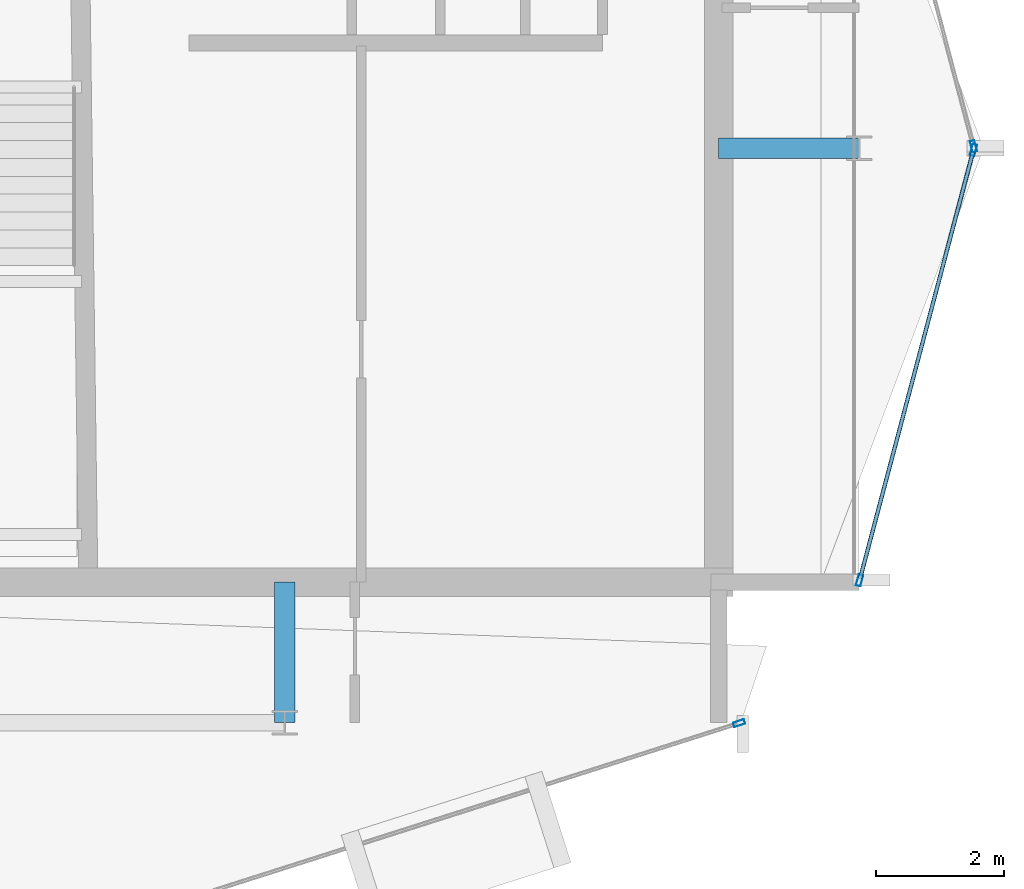
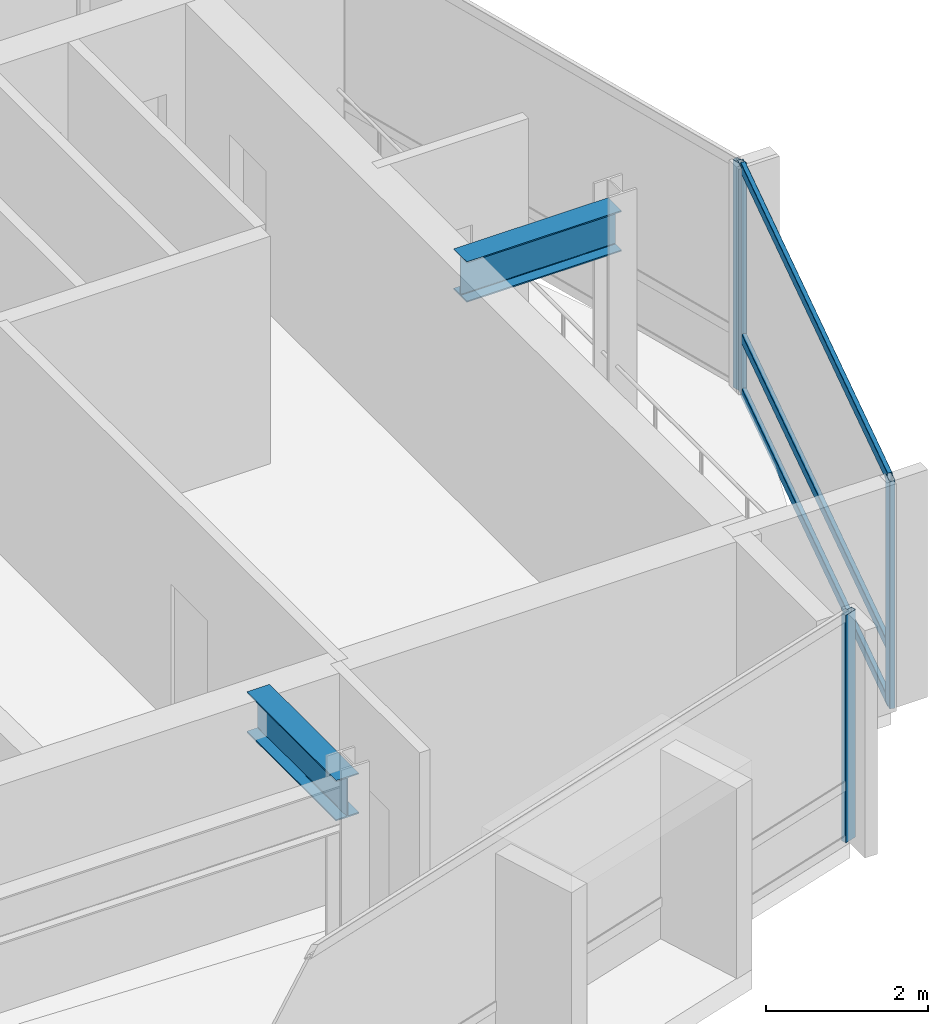
# One storey, part 9 of 19: 7 members, 2 beams, 3 elements without a shape of their own.
"""IFC4 building model written with IfcOpenShell, lengths in metres."""

from ifc_helpers import new_model, si_unit, direction, frame, origin, origin_2d, place, context, subcontext, project, spatial, hollow_rectangle, i_section, extrude, material, layer, layer_set, material_profile, profile_set, type_object, element, aggregate, save


model = new_model("IFC4")

# Units and contexts
model_context = context("Model", 3, precision=1e-05, world=origin(), true_north=direction((0.0, 1.0)))
body_context = subcontext(model_context, "Body", "Model", "MODEL_VIEW")
ifc_project = project(units=[si_unit("LENGTHUNIT", "METRE"), si_unit("AREAUNIT", "SQUARE_METRE"), si_unit("VOLUMEUNIT", "CUBIC_METRE"), si_unit("PLANEANGLEUNIT", "RADIAN"), si_unit("MASSUNIT", "GRAM", prefix="KILO")], contexts=[model_context])

# Site, building, storey
site_placement = place(None, origin())
site = spatial("IfcSite", under=ifc_project, at=site_placement, CompositionType="ELEMENT")
building_placement = place(site_placement, origin())
building = spatial("IfcBuilding", under=site, at=building_placement, Name="Solvaryn Broadcast Tower", CompositionType="ELEMENT")
storey_placement = place(building_placement, frame((0.0, 0.0, 240.800048828125)))
storey = spatial("IfcBuildingStorey", under=building, at=storey_placement, Name="L60", CompositionType="ELEMENT", Elevation=240.800048828125)

# Beams
ifc_material_1 = material(Name="Steel ASTM A992 Grade 50", Category="steel")
ifc_material_profile_1 = material_profile(ifc_material_1, i_section(OverallWidth=0.323974609375, OverallDepth=0.611083984375, WebThickness=0.0126953125, FlangeThickness=0.01904296875, FilletRadius=0.014892578125, at=origin_2d()))
ifc_profile_set_1 = profile_set([ifc_material_profile_1], Name="Steel ASTM A992 Grade 50")
beam_type = type_object("IfcBeamType", Name="BM-B1-W24X104", PredefinedType="BEAM", material=ifc_profile_set_1)
for number, where, z_axis, x_axis, name in (
    (1, (36.0, 9.0, 3.114501953125), (0.0, 1.0, 0.0), (-1.0, 0.0, 0.0), "L60 Core Tie Beam CTE1"),
    (2, (42.800048828125, 18.0, 3.114501953125), (1.0, 0.0, 0.0), (0.0, 1.0, 0.0), "L60 Core Tie Beam CTE3"),
):
    element("IfcBeam", number, at=place(storey_placement, frame(where, z_axis=z_axis, x_axis=x_axis)), inside=storey, type_object=beam_type, Name=name, PredefinedType="BEAM", context=body_context, shape_type="SweptSolid", body=[
        extrude(i_section(OverallWidth=0.323974609375, OverallDepth=0.611083984375, WebThickness=0.0126953125, FlangeThickness=0.01904296875, FilletRadius=0.014892578125, at=origin_2d()), origin(), (0.0, 0.0, 1.0), 2.199951171875),
    ])

# Curtain wall, member
ifc_material_2 = material(Name="Aluminium and Terracotta Unitised Curtain Wall", Category="masonry")
ifc_layer = layer(ifc_material_2, 0.199951171875)
ifc_layer_set = layer_set([ifc_layer], Name="CW-SYS2-LOWMID")
curtain_wall_type = type_object("IfcCurtainWallType", Name="CW-SYS2-LOWMID", PredefinedType="NOTDEFINED", material=ifc_layer_set)
curtain_wall_1_placement = place(storey_placement, origin())
curtain_wall_1 = element("IfcCurtainWall", 3, at=curtain_wall_1_placement, inside=storey, type_object=curtain_wall_type, Name="L60 Curtain Wall DR4", PredefinedType="NOTDEFINED")
ifc_material_3 = material(Name="Anodised Aluminium 6063-T6", Category="aluminium")
ifc_material_profile_2 = material_profile(ifc_material_3, hollow_rectangle(XDim=0.074951171875, YDim=0.179931640625, WallThickness=0.00390625, InnerFilletRadius=0.00390625, OuterFilletRadius=0.008056640625, at=origin_2d()))
ifc_profile_set_2 = profile_set([ifc_material_profile_2], Name="Anodised Aluminium 6063-T6")
member_type_1 = type_object("IfcMemberType", Name="CW-MUL-180", PredefinedType="MULLION", material=ifc_profile_set_2)
member_1_placement = place(storey_placement, frame((43.120361328125, 8.990966796875, 0.0), z_axis=(0.0, 0.0, 1.0), x_axis=(-0.30361564569, 0.952794594701, 0.0)))
member_1 = element("IfcMember", 4, at=member_1_placement, type_object=member_type_1, Name="CWS2 mullion 2", PredefinedType="MULLION", context=body_context, shape_type="SweptSolid", body=[
    extrude(hollow_rectangle(XDim=0.074951171875, YDim=0.179931640625, WallThickness=0.00390625, InnerFilletRadius=0.00390625, OuterFilletRadius=0.008056640625, at=origin_2d()), origin(), (0.0, 0.0, 1.0), 3.419921875),
])
aggregate(curtain_wall_1, [member_1])

curtain_wall_2_placement = place(storey_placement, origin())
curtain_wall_2 = element("IfcCurtainWall", 5, at=curtain_wall_2_placement, inside=storey, type_object=curtain_wall_type, Name="L60 Curtain Wall ET1", PredefinedType="NOTDEFINED")
member_2_placement = place(storey_placement, frame((46.792236328125, 18.029052734375, 0.0), z_axis=(0.0, 0.0, 1.0), x_axis=(0.966705227863, 0.25589256031, 0.0)))
member_2 = element("IfcMember", 6, at=member_2_placement, type_object=member_type_1, Name="CWS2 mullion 2", PredefinedType="MULLION", context=body_context, shape_type="SweptSolid", body=[
    extrude(hollow_rectangle(XDim=0.074951171875, YDim=0.179931640625, WallThickness=0.00390625, InnerFilletRadius=0.00390625, OuterFilletRadius=0.008056640625, at=origin_2d()), origin(), (0.0, 0.0, 1.0), 3.419921875),
])
aggregate(curtain_wall_2, [member_2])

# Curtain wall, members
curtain_wall_3_placement = place(storey_placement, origin())
curtain_wall_3 = element("IfcCurtainWall", 7, at=curtain_wall_3_placement, inside=storey, type_object=curtain_wall_type, Name="L60 Curtain Wall ET2", PredefinedType="NOTDEFINED")
member_3_placement = place(storey_placement, frame((46.792236328125, 17.970947265625, 0.0), z_axis=(0.0, 0.0, 1.0), x_axis=(0.966705227863, -0.25589256031, 0.0)))
member_3 = element("IfcMember", 8, at=member_3_placement, type_object=member_type_1, Name="CWS2 mullion 1", PredefinedType="MULLION", context=body_context, shape_type="SweptSolid", body=[
    extrude(hollow_rectangle(XDim=0.074951171875, YDim=0.179931640625, WallThickness=0.00390625, InnerFilletRadius=0.00390625, OuterFilletRadius=0.008056640625, at=origin_2d()), origin(), (0.0, 0.0, 1.0), 3.419921875),
])
member_4_placement = place(storey_placement, frame((45.007568359375, 11.22900390625, 0.0), z_axis=(0.0, 0.0, 1.0), x_axis=(0.966705227863, -0.25589256031, 0.0)))
member_4 = element("IfcMember", 9, at=member_4_placement, type_object=member_type_1, Name="CWS2 mullion 2", PredefinedType="MULLION", context=body_context, shape_type="SweptSolid", body=[
    extrude(hollow_rectangle(XDim=0.074951171875, YDim=0.179931640625, WallThickness=0.00390625, InnerFilletRadius=0.00390625, OuterFilletRadius=0.008056640625, at=origin_2d()), origin(), (0.0, 0.0, 1.0), 3.419921875),
])
ifc_material_4 = material(Name="Anodised Aluminium 6063-T6", Category="aluminium")
ifc_material_profile_3 = material_profile(ifc_material_4, hollow_rectangle(XDim=0.06494140625, YDim=0.14990234375, WallThickness=0.00390625, InnerFilletRadius=0.00390625, OuterFilletRadius=0.008056640625, at=origin_2d()))
ifc_profile_set_3 = profile_set([ifc_material_profile_3], Name="Anodised Aluminium 6063-T6")
member_type_2 = type_object("IfcMemberType", Name="CW-TRN-150", PredefinedType="USERDEFINED", material=ifc_profile_set_3)
member_5_placement = place(storey_placement, frame((46.78466796875, 17.94189453125, 0.030029296875), z_axis=(-0.255897413051, -0.966703943301, 0.0), x_axis=(0.966703943301, -0.255897413051, 0.0)))
member_5 = element("IfcMember", 10, at=member_5_placement, type_object=member_type_2, Name="CWS2 transom 1.1", ObjectType="TRANSOM", PredefinedType="USERDEFINED", context=body_context, shape_type="SweptSolid", body=[
    extrude(hollow_rectangle(XDim=0.06494140625, YDim=0.14990234375, WallThickness=0.00390625, InnerFilletRadius=0.00390625, OuterFilletRadius=0.008056640625, at=origin_2d()), origin(), (0.0, 0.0, 1.0), 6.9140625),
])
member_6_placement = place(storey_placement, frame((46.78466796875, 17.94189453125, 0.849853515625), z_axis=(-0.255897413051, -0.966703943301, 0.0), x_axis=(0.966703943301, -0.255897413051, 0.0)))
member_6 = element("IfcMember", 11, at=member_6_placement, type_object=member_type_2, Name="CWS2 transom 1.2", ObjectType="TRANSOM", PredefinedType="USERDEFINED", context=body_context, shape_type="SweptSolid", body=[
    extrude(hollow_rectangle(XDim=0.06494140625, YDim=0.14990234375, WallThickness=0.00390625, InnerFilletRadius=0.00390625, OuterFilletRadius=0.008056640625, at=origin_2d()), origin(), (0.0, 0.0, 1.0), 6.9140625),
])
member_7_placement = place(storey_placement, frame((46.78466796875, 17.94189453125, 3.389892578125), z_axis=(-0.255897413051, -0.966703943301, 0.0), x_axis=(0.966703943301, -0.255897413051, 0.0)))
member_7 = element("IfcMember", 12, at=member_7_placement, type_object=member_type_2, Name="CWS2 transom 1.3", ObjectType="TRANSOM", PredefinedType="USERDEFINED", context=body_context, shape_type="SweptSolid", body=[
    extrude(hollow_rectangle(XDim=0.06494140625, YDim=0.14990234375, WallThickness=0.00390625, InnerFilletRadius=0.00390625, OuterFilletRadius=0.008056640625, at=origin_2d()), origin(), (0.0, 0.0, 1.0), 6.9140625),
])
aggregate(curtain_wall_3, [member_3, member_4, member_5, member_6, member_7])

save(model, "model.ifc")
